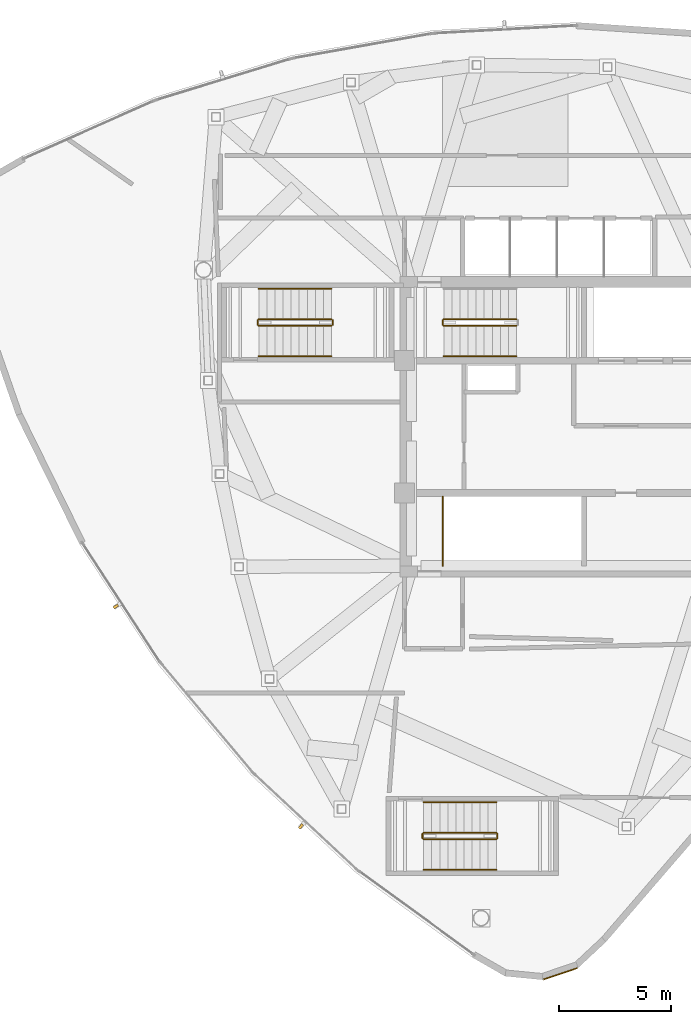
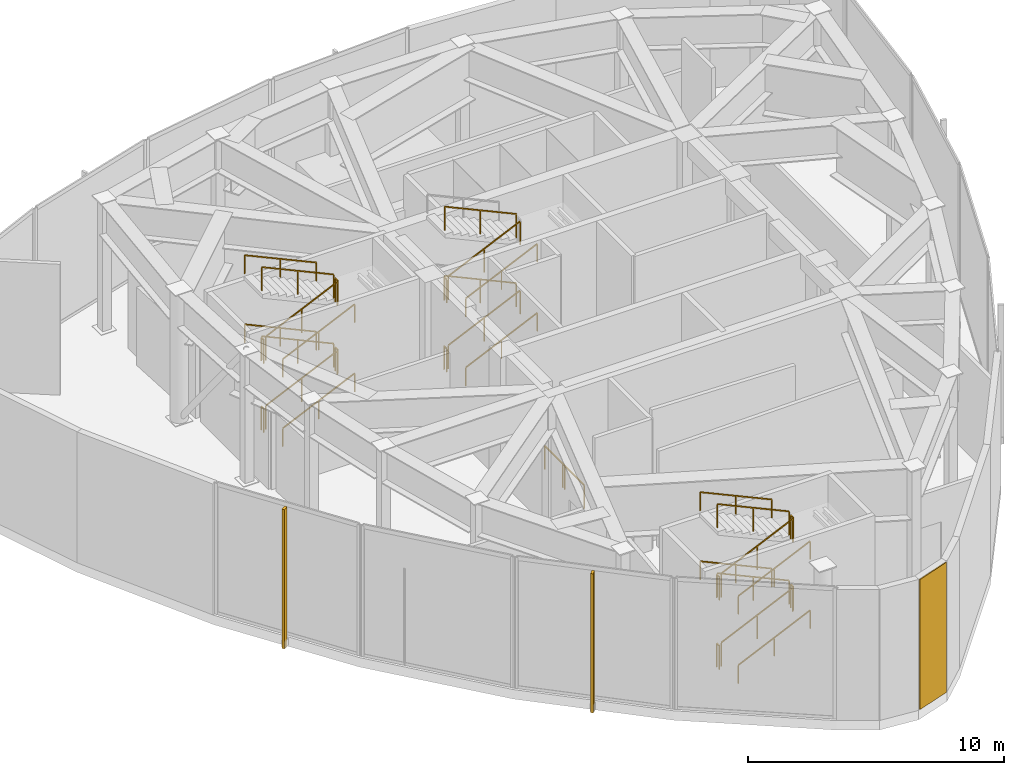
# One storey, part 11 of 13: 34 railings, 2 shading devices, 1 covering.
"""IFC4 building model written with IfcOpenShell, lengths in metres."""

from ifc_helpers import new_model, si_unit, direction, frame, origin, origin_2d, place, context, subcontext, project, spatial, rectangle, extrude, source, transform, mapped, material, layer, layer_set, type_object, type_shapes, element, save


model = new_model("IFC4")

# Units and contexts
model_context = context("Model", 3, precision=1e-05, world=origin(), true_north=direction((0.0, 1.0)))
body_context = subcontext(model_context, "Body", "Model", "MODEL_VIEW")
ifc_project = project(units=[si_unit("LENGTHUNIT", "METRE"), si_unit("AREAUNIT", "SQUARE_METRE"), si_unit("VOLUMEUNIT", "CUBIC_METRE"), si_unit("PLANEANGLEUNIT", "RADIAN"), si_unit("MASSUNIT", "GRAM", prefix="KILO")], contexts=[model_context])

# Site, building, storey
site_placement = place(None, origin())
site = spatial("IfcSite", under=ifc_project, at=site_placement, CompositionType="ELEMENT")
building_placement = place(site_placement, origin())
building = spatial("IfcBuilding", under=site, at=building_placement, Name="Tavelor Broadcast Tower", CompositionType="ELEMENT")
storey_placement = place(building_placement, frame((0.0, 0.0, 325.5)))
storey = spatial("IfcBuildingStorey", under=building, at=storey_placement, Name="L78", CompositionType="ELEMENT", Elevation=325.5)

# Covering
ifc_material_1 = material(Name="Copper-Bronze Anodized Aluminium", Category="aluminium")
ifc_layer = layer(ifc_material_1, 0.050048828125)
ifc_layer_set = layer_set([ifc_layer], Name="Copper-Bronze Anodized Aluminium")
covering_type = type_object("IfcCoveringType", Name="Champagne-Bronze Corner Pier Metal Cladding 50 mm", PredefinedType="CLADDING", material=ifc_layer_set)
covering_placement = place(storey_placement, frame((50.05126953125, 20.606689453125, 0.02001953125), z_axis=(0.0, 0.0, 1.0), x_axis=(0.946930129495, 0.321439465303, 0.0)))
element("IfcCovering", 1, at=covering_placement, inside=storey, type_object=covering_type, Name="L78 Champagne-Bronze Corner Cladding 13", PredefinedType="CLADDING", context=body_context, shape_type="SweptSolid", body=[
    extrude(rectangle(XDim=1.584716796875, YDim=0.050048828125, at=origin_2d()), origin(), (0.0, 0.0, 1.0), 6.2099609375),
])

# Railings
ifc_material_2 = material(Name="Steel S355", Category="steel")
railing_type_1 = type_object("IfcRailingType", Name="Continuous Brushed Stainless Handrail 900 mm", PredefinedType="HANDRAIL", material=ifc_material_2)
for number, where, name in (
    (2, (44.85009765625, 48.14990234375, 0.1650390625), "L78 ST1 stair handrail 1"),
    (3, (44.85009765625, 48.14990234375, 3.465087890625), "L78 ST1 stair handrail 3"),
    (4, (36.60009765625, 48.14990234375, 0.1650390625), "L78 ST5 stair handrail 1"),
):
    element("IfcRailing", number, at=place(storey_placement, frame(where)), inside=storey, type_object=railing_type_1, Name=name, PredefinedType="HANDRAIL", context=body_context, shape_type="SweptSolid", body=[
        extrude(rectangle(XDim=0.048095703125, YDim=0.048095703125, at=origin_2d()), frame((0.0, 0.0, 0.8759765625), z_axis=(0.909078876417, 0.0, 0.416624046897), x_axis=(0.0, 1.0, 0.0)), (0.0, 0.0, 1.0), 3.56396484375),
        extrude(rectangle(XDim=0.0419921875, YDim=0.0419921875, at=origin_2d()), origin(), (0.0, 0.0, 1.0), 0.851806640625),
        extrude(rectangle(XDim=0.0419921875, YDim=0.0419921875, at=origin_2d()), frame((1.6201171875, 0.0, 0.742431640625)), (0.0, 0.0, 1.0), 0.851806640625),
        extrude(rectangle(XDim=0.0419921875, YDim=0.0419921875, at=origin_2d()), frame((3.239990234375, 0.0, 1.48486328125)), (0.0, 0.0, 1.0), 0.851806640625),
    ])
railing_1_placement = place(storey_placement, frame((39.840087890625, 51.14990234375, 1.81494140625)))
element("IfcRailing", 5, at=railing_1_placement, inside=storey, type_object=railing_type_1, Name="L78 ST5 stair handrail 2", PredefinedType="HANDRAIL", context=body_context, shape_type="SweptSolid", body=[
    extrude(rectangle(XDim=0.048095703125, YDim=0.048095703125, at=origin_2d()), frame((0.0, 0.0, 0.8759765625), z_axis=(-0.909052930984, 0.0, 0.416680655503), x_axis=(0.0, -1.0, 0.0)), (0.0, 0.0, 1.0), 3.564208984375),
    extrude(rectangle(XDim=0.0419921875, YDim=0.0419921875, at=origin_2d()), origin(), (0.0, 0.0, 1.0), 0.851806640625),
    extrude(rectangle(XDim=0.0419921875, YDim=0.0419921875, at=origin_2d()), frame((-1.6201171875, 0.0, 0.74267578125)), (0.0, 0.0, 1.0), 0.851806640625),
    extrude(rectangle(XDim=0.0419921875, YDim=0.0419921875, at=origin_2d()), frame((-3.239990234375, 0.0, 1.485107421875)), (0.0, 0.0, 1.0), 0.851806640625),
])
railing_2_placement = place(storey_placement, frame((36.60009765625, 48.14990234375, 3.465087890625)))
element("IfcRailing", 6, at=railing_2_placement, inside=storey, type_object=railing_type_1, Name="L78 ST5 stair handrail 3", PredefinedType="HANDRAIL", context=body_context, shape_type="SweptSolid", body=[
    extrude(rectangle(XDim=0.048095703125, YDim=0.048095703125, at=origin_2d()), frame((0.0, 0.0, 0.8759765625), z_axis=(0.909078876417, 0.0, 0.416624046897), x_axis=(0.0, 1.0, 0.0)), (0.0, 0.0, 1.0), 3.56396484375),
    extrude(rectangle(XDim=0.0419921875, YDim=0.0419921875, at=origin_2d()), origin(), (0.0, 0.0, 1.0), 0.851806640625),
    extrude(rectangle(XDim=0.0419921875, YDim=0.0419921875, at=origin_2d()), frame((1.6201171875, 0.0, 0.742431640625)), (0.0, 0.0, 1.0), 0.851806640625),
    extrude(rectangle(XDim=0.0419921875, YDim=0.0419921875, at=origin_2d()), frame((3.239990234375, 0.0, 1.48486328125)), (0.0, 0.0, 1.0), 0.851806640625),
])
railing_3_placement = place(storey_placement, frame((39.840087890625, 51.14990234375, 5.114990234375)))
element("IfcRailing", 7, at=railing_3_placement, inside=storey, type_object=railing_type_1, Name="L78 ST5 stair handrail 4", PredefinedType="HANDRAIL", context=body_context, shape_type="SweptSolid", body=[
    extrude(rectangle(XDim=0.048095703125, YDim=0.048095703125, at=origin_2d()), frame((0.0, 0.0, 0.8759765625), z_axis=(-0.909052930984, 0.0, 0.416680655503), x_axis=(0.0, -1.0, 0.0)), (0.0, 0.0, 1.0), 3.564208984375),
    extrude(rectangle(XDim=0.0419921875, YDim=0.0419921875, at=origin_2d()), origin(), (0.0, 0.0, 1.0), 0.851806640625),
    extrude(rectangle(XDim=0.0419921875, YDim=0.0419921875, at=origin_2d()), frame((-1.6201171875, 0.0, 0.74267578125)), (0.0, 0.0, 1.0), 0.851806640625),
    extrude(rectangle(XDim=0.0419921875, YDim=0.0419921875, at=origin_2d()), frame((-3.239990234375, 0.0, 1.485107421875)), (0.0, 0.0, 1.0), 0.851806640625),
])
railing_4_placement = place(storey_placement, frame((43.949951171875, 25.25, 0.1650390625)))
element("IfcRailing", 8, at=railing_4_placement, inside=storey, type_object=railing_type_1, Name="L78 ST6 stair handrail 1", PredefinedType="HANDRAIL", context=body_context, shape_type="SweptSolid", body=[
    extrude(rectangle(XDim=0.048095703125, YDim=0.048095703125, at=origin_2d()), frame((0.0, 0.0, 0.8759765625), z_axis=(0.909078876417, 0.0, 0.416624046897), x_axis=(0.0, 1.0, 0.0)), (0.0, 0.0, 1.0), 3.56396484375),
    extrude(rectangle(XDim=0.0419921875, YDim=0.0419921875, at=origin_2d()), origin(), (0.0, 0.0, 1.0), 0.851806640625),
    extrude(rectangle(XDim=0.0419921875, YDim=0.0419921875, at=origin_2d()), frame((1.6201171875, 0.0, 0.742431640625)), (0.0, 0.0, 1.0), 0.851806640625),
    extrude(rectangle(XDim=0.0419921875, YDim=0.0419921875, at=origin_2d()), frame((3.239990234375, 0.0, 1.48486328125)), (0.0, 0.0, 1.0), 0.851806640625),
])
railing_5_placement = place(storey_placement, frame((47.18994140625, 28.25, 1.81494140625)))
element("IfcRailing", 9, at=railing_5_placement, inside=storey, type_object=railing_type_1, Name="L78 ST6 stair handrail 2", PredefinedType="HANDRAIL", context=body_context, shape_type="SweptSolid", body=[
    extrude(rectangle(XDim=0.048095703125, YDim=0.048095703125, at=origin_2d()), frame((0.0, 0.0, 0.8759765625), z_axis=(-0.909052930984, 0.0, 0.416680655503), x_axis=(0.0, -1.0, 0.0)), (0.0, 0.0, 1.0), 3.564208984375),
    extrude(rectangle(XDim=0.0419921875, YDim=0.0419921875, at=origin_2d()), origin(), (0.0, 0.0, 1.0), 0.851806640625),
    extrude(rectangle(XDim=0.0419921875, YDim=0.0419921875, at=origin_2d()), frame((-1.6201171875, 0.0, 0.74267578125)), (0.0, 0.0, 1.0), 0.851806640625),
    extrude(rectangle(XDim=0.0419921875, YDim=0.0419921875, at=origin_2d()), frame((-3.239990234375, 0.0, 1.485107421875)), (0.0, 0.0, 1.0), 0.851806640625),
])
railing_6_placement = place(storey_placement, frame((43.949951171875, 25.25, 3.465087890625)))
element("IfcRailing", 10, at=railing_6_placement, inside=storey, type_object=railing_type_1, Name="L78 ST6 stair handrail 3", PredefinedType="HANDRAIL", context=body_context, shape_type="SweptSolid", body=[
    extrude(rectangle(XDim=0.048095703125, YDim=0.048095703125, at=origin_2d()), frame((0.0, 0.0, 0.8759765625), z_axis=(0.909078876417, 0.0, 0.416624046897), x_axis=(0.0, 1.0, 0.0)), (0.0, 0.0, 1.0), 3.56396484375),
    extrude(rectangle(XDim=0.0419921875, YDim=0.0419921875, at=origin_2d()), origin(), (0.0, 0.0, 1.0), 0.851806640625),
    extrude(rectangle(XDim=0.0419921875, YDim=0.0419921875, at=origin_2d()), frame((1.6201171875, 0.0, 0.742431640625)), (0.0, 0.0, 1.0), 0.851806640625),
    extrude(rectangle(XDim=0.0419921875, YDim=0.0419921875, at=origin_2d()), frame((3.239990234375, 0.0, 1.48486328125)), (0.0, 0.0, 1.0), 0.851806640625),
])
railing_7_placement = place(storey_placement, frame((47.18994140625, 28.25, 5.114990234375)))
element("IfcRailing", 11, at=railing_7_placement, inside=storey, type_object=railing_type_1, Name="L78 ST6 stair handrail 4", PredefinedType="HANDRAIL", context=body_context, shape_type="SweptSolid", body=[
    extrude(rectangle(XDim=0.048095703125, YDim=0.048095703125, at=origin_2d()), frame((0.0, 0.0, 0.8759765625), z_axis=(-0.909052930984, 0.0, 0.416680655503), x_axis=(0.0, -1.0, 0.0)), (0.0, 0.0, 1.0), 3.564208984375),
    extrude(rectangle(XDim=0.0419921875, YDim=0.0419921875, at=origin_2d()), origin(), (0.0, 0.0, 1.0), 0.851806640625),
    extrude(rectangle(XDim=0.0419921875, YDim=0.0419921875, at=origin_2d()), frame((-1.6201171875, 0.0, 0.74267578125)), (0.0, 0.0, 1.0), 0.851806640625),
    extrude(rectangle(XDim=0.0419921875, YDim=0.0419921875, at=origin_2d()), frame((-3.239990234375, 0.0, 1.485107421875)), (0.0, 0.0, 1.0), 0.851806640625),
])
railing_type_2 = type_object("IfcRailingType", Name="Stairwell Steel Safety Guardrail 1150 mm", PredefinedType="GUARDRAIL", material=ifc_material_2)
railing_8_placement = place(storey_placement, frame((44.85009765625, 49.5, 0.1650390625)))
element("IfcRailing", 12, at=railing_8_placement, inside=storey, type_object=railing_type_2, Name="L78 ST1 stair guard 1", PredefinedType="GUARDRAIL", context=body_context, shape_type="SweptSolid", body=[
    extrude(rectangle(XDim=0.048095703125, YDim=0.048095703125, at=origin_2d()), frame((0.0, 0.0, 1.1259765625), z_axis=(0.909078876417, 0.0, 0.416624046897), x_axis=(0.0, 1.0, 0.0)), (0.0, 0.0, 1.0), 3.56396484375),
    extrude(rectangle(XDim=0.0419921875, YDim=0.0419921875, at=origin_2d()), origin(), (0.0, 0.0, 1.0), 1.101806640625),
    extrude(rectangle(XDim=0.0419921875, YDim=0.0419921875, at=origin_2d()), frame((1.6201171875, 0.0, 0.742431640625)), (0.0, 0.0, 1.0), 1.101806640625),
    extrude(rectangle(XDim=0.0419921875, YDim=0.0419921875, at=origin_2d()), frame((3.239990234375, 0.0, 1.48486328125)), (0.0, 0.0, 1.0), 1.101806640625),
])
railing_9_placement = place(storey_placement, frame((48.090087890625, 49.800048828125, 1.81494140625)))
element("IfcRailing", 13, at=railing_9_placement, inside=storey, type_object=railing_type_2, Name="L78 ST1 stair guard 3", PredefinedType="GUARDRAIL", context=body_context, shape_type="SweptSolid", body=[
    extrude(rectangle(XDim=0.048095703125, YDim=0.048095703125, at=origin_2d()), frame((0.0, 0.0, 1.1259765625), z_axis=(-0.909052930984, 0.0, 0.416680655503), x_axis=(0.0, -1.0, 0.0)), (0.0, 0.0, 1.0), 3.564208984375),
    extrude(rectangle(XDim=0.0419921875, YDim=0.0419921875, at=origin_2d()), origin(), (0.0, 0.0, 1.0), 1.101806640625),
    extrude(rectangle(XDim=0.0419921875, YDim=0.0419921875, at=origin_2d()), frame((-1.6201171875, 0.0, 0.74267578125)), (0.0, 0.0, 1.0), 1.101806640625),
    extrude(rectangle(XDim=0.0419921875, YDim=0.0419921875, at=origin_2d()), frame((-3.239990234375, 0.0, 1.485107421875)), (0.0, 0.0, 1.0), 1.101806640625),
])
railing_10_placement = place(storey_placement, frame((44.800048828125, 49.550048828125, 3.300048828125)))
element("IfcRailing", 14, at=railing_10_placement, inside=storey, type_object=railing_type_2, Name="L78 ST1 stair guard 4", PredefinedType="GUARDRAIL", context=body_context, shape_type="SweptSolid", body=[
    extrude(rectangle(XDim=0.048095703125, YDim=0.048095703125, at=origin_2d()), frame((0.0, 0.0, 1.1259765625), z_axis=(0.0, 1.0, 0.0), x_axis=(-1.0, 0.0, 0.0)), (0.0, 0.0, 1.0), 0.199951171875),
    extrude(rectangle(XDim=0.0419921875, YDim=0.0419921875, at=origin_2d()), origin(), (0.0, 0.0, 1.0), 1.101806640625),
    extrude(rectangle(XDim=0.0419921875, YDim=0.0419921875, at=origin_2d()), frame((0.0, 0.199951171875, 0.0)), (0.0, 0.0, 1.0), 1.101806640625),
])
railing_11_placement = place(storey_placement, frame((44.85009765625, 49.5, 3.465087890625)))
element("IfcRailing", 15, at=railing_11_placement, inside=storey, type_object=railing_type_2, Name="L78 ST1 stair guard 5", PredefinedType="GUARDRAIL", context=body_context, shape_type="SweptSolid", body=[
    extrude(rectangle(XDim=0.048095703125, YDim=0.048095703125, at=origin_2d()), frame((0.0, 0.0, 1.1259765625), z_axis=(0.909078876417, 0.0, 0.416624046897), x_axis=(0.0, 1.0, 0.0)), (0.0, 0.0, 1.0), 3.56396484375),
    extrude(rectangle(XDim=0.0419921875, YDim=0.0419921875, at=origin_2d()), origin(), (0.0, 0.0, 1.0), 1.101806640625),
    extrude(rectangle(XDim=0.0419921875, YDim=0.0419921875, at=origin_2d()), frame((1.6201171875, 0.0, 0.742431640625)), (0.0, 0.0, 1.0), 1.101806640625),
    extrude(rectangle(XDim=0.0419921875, YDim=0.0419921875, at=origin_2d()), frame((3.239990234375, 0.0, 1.48486328125)), (0.0, 0.0, 1.0), 1.101806640625),
])
railing_12_placement = place(storey_placement, frame((48.090087890625, 49.800048828125, 5.114990234375)))
element("IfcRailing", 16, at=railing_12_placement, inside=storey, type_object=railing_type_2, Name="L78 ST1 stair guard 7", PredefinedType="GUARDRAIL", context=body_context, shape_type="SweptSolid", body=[
    extrude(rectangle(XDim=0.048095703125, YDim=0.048095703125, at=origin_2d()), frame((0.0, 0.0, 1.1259765625), z_axis=(-0.909052930984, 0.0, 0.416680655503), x_axis=(0.0, -1.0, 0.0)), (0.0, 0.0, 1.0), 3.564208984375),
    extrude(rectangle(XDim=0.0419921875, YDim=0.0419921875, at=origin_2d()), origin(), (0.0, 0.0, 1.0), 1.101806640625),
    extrude(rectangle(XDim=0.0419921875, YDim=0.0419921875, at=origin_2d()), frame((-1.6201171875, 0.0, 0.74267578125)), (0.0, 0.0, 1.0), 1.101806640625),
    extrude(rectangle(XDim=0.0419921875, YDim=0.0419921875, at=origin_2d()), frame((-3.239990234375, 0.0, 1.485107421875)), (0.0, 0.0, 1.0), 1.101806640625),
])
railing_13_placement = place(storey_placement, frame((44.800048828125, 49.550048828125, 0.0)))
element("IfcRailing", 17, at=railing_13_placement, inside=storey, type_object=railing_type_2, Name="L78 ST1 stair guard 8", PredefinedType="GUARDRAIL", context=body_context, shape_type="SweptSolid", body=[
    extrude(rectangle(XDim=0.048095703125, YDim=0.048095703125, at=origin_2d()), frame((0.0, 0.0, 1.1259765625), z_axis=(0.0, 1.0, 0.0), x_axis=(-1.0, 0.0, 0.0)), (0.0, 0.0, 1.0), 0.199951171875),
    extrude(rectangle(XDim=0.0419921875, YDim=0.0419921875, at=origin_2d()), origin(), (0.0, 0.0, 1.0), 1.101806640625),
    extrude(rectangle(XDim=0.0419921875, YDim=0.0419921875, at=origin_2d()), frame((0.0, 0.199951171875, 0.0)), (0.0, 0.0, 1.0), 1.101806640625),
])
railing_14_placement = place(storey_placement, frame((44.800048828125, 38.800048828125, 0.0)))
element("IfcRailing", 18, at=railing_14_placement, inside=storey, type_object=railing_type_2, Name="L78 ST2 top well guard 1", PredefinedType="GUARDRAIL", context=body_context, shape_type="SweptSolid", body=[
    extrude(rectangle(XDim=0.048095703125, YDim=0.048095703125, at=origin_2d()), frame((0.0, 0.0, 1.1259765625), z_axis=(0.0, 1.0, 0.0), x_axis=(-1.0, 0.0, 0.0)), (0.0, 0.0, 1.0), 1.64990234375),
    extrude(rectangle(XDim=0.0419921875, YDim=0.0419921875, at=origin_2d()), origin(), (0.0, 0.0, 1.0), 1.101806640625),
    extrude(rectangle(XDim=0.0419921875, YDim=0.0419921875, at=origin_2d()), frame((0.0, 1.64990234375, 0.0)), (0.0, 0.0, 1.0), 1.101806640625),
])
railing_15_placement = place(storey_placement, frame((36.60009765625, 49.5, 0.1650390625)))
element("IfcRailing", 19, at=railing_15_placement, inside=storey, type_object=railing_type_2, Name="L78 ST5 stair guard 1", PredefinedType="GUARDRAIL", context=body_context, shape_type="SweptSolid", body=[
    extrude(rectangle(XDim=0.048095703125, YDim=0.048095703125, at=origin_2d()), frame((0.0, 0.0, 1.1259765625), z_axis=(0.909078876417, 0.0, 0.416624046897), x_axis=(0.0, 1.0, 0.0)), (0.0, 0.0, 1.0), 3.56396484375),
    extrude(rectangle(XDim=0.0419921875, YDim=0.0419921875, at=origin_2d()), origin(), (0.0, 0.0, 1.0), 1.101806640625),
    extrude(rectangle(XDim=0.0419921875, YDim=0.0419921875, at=origin_2d()), frame((1.6201171875, 0.0, 0.742431640625)), (0.0, 0.0, 1.0), 1.101806640625),
    extrude(rectangle(XDim=0.0419921875, YDim=0.0419921875, at=origin_2d()), frame((3.239990234375, 0.0, 1.48486328125)), (0.0, 0.0, 1.0), 1.101806640625),
])
railing_16_placement = place(storey_placement, frame((39.889892578125, 49.550048828125, 1.64990234375)))
element("IfcRailing", 20, at=railing_16_placement, inside=storey, type_object=railing_type_2, Name="L78 ST5 stair guard 2", PredefinedType="GUARDRAIL", context=body_context, shape_type="SweptSolid", body=[
    extrude(rectangle(XDim=0.048095703125, YDim=0.048095703125, at=origin_2d()), frame((0.0, 0.0, 1.1259765625), z_axis=(0.0, 1.0, 0.0), x_axis=(-1.0, 0.0, 0.0)), (0.0, 0.0, 1.0), 0.199951171875),
    extrude(rectangle(XDim=0.0419921875, YDim=0.0419921875, at=origin_2d()), origin(), (0.0, 0.0, 1.0), 1.101806640625),
    extrude(rectangle(XDim=0.0419921875, YDim=0.0419921875, at=origin_2d()), frame((0.0, 0.199951171875, 0.0)), (0.0, 0.0, 1.0), 1.101806640625),
])
railing_17_placement = place(storey_placement, frame((39.840087890625, 49.800048828125, 1.81494140625)))
element("IfcRailing", 21, at=railing_17_placement, inside=storey, type_object=railing_type_2, Name="L78 ST5 stair guard 3", PredefinedType="GUARDRAIL", context=body_context, shape_type="SweptSolid", body=[
    extrude(rectangle(XDim=0.048095703125, YDim=0.048095703125, at=origin_2d()), frame((0.0, 0.0, 1.1259765625), z_axis=(-0.909052930984, 0.0, 0.416680655503), x_axis=(0.0, -1.0, 0.0)), (0.0, 0.0, 1.0), 3.564208984375),
    extrude(rectangle(XDim=0.0419921875, YDim=0.0419921875, at=origin_2d()), origin(), (0.0, 0.0, 1.0), 1.101806640625),
    extrude(rectangle(XDim=0.0419921875, YDim=0.0419921875, at=origin_2d()), frame((-1.6201171875, 0.0, 0.74267578125)), (0.0, 0.0, 1.0), 1.101806640625),
    extrude(rectangle(XDim=0.0419921875, YDim=0.0419921875, at=origin_2d()), frame((-3.239990234375, 0.0, 1.485107421875)), (0.0, 0.0, 1.0), 1.101806640625),
])
railing_18_placement = place(storey_placement, frame((36.550048828125, 49.550048828125, 3.300048828125)))
element("IfcRailing", 22, at=railing_18_placement, inside=storey, type_object=railing_type_2, Name="L78 ST5 stair guard 4", PredefinedType="GUARDRAIL", context=body_context, shape_type="SweptSolid", body=[
    extrude(rectangle(XDim=0.048095703125, YDim=0.048095703125, at=origin_2d()), frame((0.0, 0.0, 1.1259765625), z_axis=(0.0, 1.0, 0.0), x_axis=(-1.0, 0.0, 0.0)), (0.0, 0.0, 1.0), 0.199951171875),
    extrude(rectangle(XDim=0.0419921875, YDim=0.0419921875, at=origin_2d()), origin(), (0.0, 0.0, 1.0), 1.101806640625),
    extrude(rectangle(XDim=0.0419921875, YDim=0.0419921875, at=origin_2d()), frame((0.0, 0.199951171875, 0.0)), (0.0, 0.0, 1.0), 1.101806640625),
])
railing_19_placement = place(storey_placement, frame((36.60009765625, 49.5, 3.465087890625)))
element("IfcRailing", 23, at=railing_19_placement, inside=storey, type_object=railing_type_2, Name="L78 ST5 stair guard 5", PredefinedType="GUARDRAIL", context=body_context, shape_type="SweptSolid", body=[
    extrude(rectangle(XDim=0.048095703125, YDim=0.048095703125, at=origin_2d()), frame((0.0, 0.0, 1.1259765625), z_axis=(0.909078876417, 0.0, 0.416624046897), x_axis=(0.0, 1.0, 0.0)), (0.0, 0.0, 1.0), 3.56396484375),
    extrude(rectangle(XDim=0.0419921875, YDim=0.0419921875, at=origin_2d()), origin(), (0.0, 0.0, 1.0), 1.101806640625),
    extrude(rectangle(XDim=0.0419921875, YDim=0.0419921875, at=origin_2d()), frame((1.6201171875, 0.0, 0.742431640625)), (0.0, 0.0, 1.0), 1.101806640625),
    extrude(rectangle(XDim=0.0419921875, YDim=0.0419921875, at=origin_2d()), frame((3.239990234375, 0.0, 1.48486328125)), (0.0, 0.0, 1.0), 1.101806640625),
])
railing_20_placement = place(storey_placement, frame((39.889892578125, 49.550048828125, 4.949951171875)))
element("IfcRailing", 24, at=railing_20_placement, inside=storey, type_object=railing_type_2, Name="L78 ST5 stair guard 6", PredefinedType="GUARDRAIL", context=body_context, shape_type="SweptSolid", body=[
    extrude(rectangle(XDim=0.048095703125, YDim=0.048095703125, at=origin_2d()), frame((0.0, 0.0, 1.1259765625), z_axis=(0.0, 1.0, 0.0), x_axis=(-1.0, 0.0, 0.0)), (0.0, 0.0, 1.0), 0.199951171875),
    extrude(rectangle(XDim=0.0419921875, YDim=0.0419921875, at=origin_2d()), origin(), (0.0, 0.0, 1.0), 1.101806640625),
    extrude(rectangle(XDim=0.0419921875, YDim=0.0419921875, at=origin_2d()), frame((0.0, 0.199951171875, 0.0)), (0.0, 0.0, 1.0), 1.101806640625),
])
railing_21_placement = place(storey_placement, frame((39.840087890625, 49.800048828125, 5.114990234375)))
element("IfcRailing", 25, at=railing_21_placement, inside=storey, type_object=railing_type_2, Name="L78 ST5 stair guard 7", PredefinedType="GUARDRAIL", context=body_context, shape_type="SweptSolid", body=[
    extrude(rectangle(XDim=0.048095703125, YDim=0.048095703125, at=origin_2d()), frame((0.0, 0.0, 1.1259765625), z_axis=(-0.909052930984, 0.0, 0.416680655503), x_axis=(0.0, -1.0, 0.0)), (0.0, 0.0, 1.0), 3.564208984375),
    extrude(rectangle(XDim=0.0419921875, YDim=0.0419921875, at=origin_2d()), origin(), (0.0, 0.0, 1.0), 1.101806640625),
    extrude(rectangle(XDim=0.0419921875, YDim=0.0419921875, at=origin_2d()), frame((-1.6201171875, 0.0, 0.74267578125)), (0.0, 0.0, 1.0), 1.101806640625),
    extrude(rectangle(XDim=0.0419921875, YDim=0.0419921875, at=origin_2d()), frame((-3.239990234375, 0.0, 1.485107421875)), (0.0, 0.0, 1.0), 1.101806640625),
])
railing_22_placement = place(storey_placement, frame((36.550048828125, 49.550048828125, 0.0)))
element("IfcRailing", 26, at=railing_22_placement, inside=storey, type_object=railing_type_2, Name="L78 ST5 stair guard 8", PredefinedType="GUARDRAIL", context=body_context, shape_type="SweptSolid", body=[
    extrude(rectangle(XDim=0.048095703125, YDim=0.048095703125, at=origin_2d()), frame((0.0, 0.0, 1.1259765625), z_axis=(0.0, 1.0, 0.0), x_axis=(-1.0, 0.0, 0.0)), (0.0, 0.0, 1.0), 0.199951171875),
    extrude(rectangle(XDim=0.0419921875, YDim=0.0419921875, at=origin_2d()), origin(), (0.0, 0.0, 1.0), 1.101806640625),
    extrude(rectangle(XDim=0.0419921875, YDim=0.0419921875, at=origin_2d()), frame((0.0, 0.199951171875, 0.0)), (0.0, 0.0, 1.0), 1.101806640625),
])
railing_23_placement = place(storey_placement, frame((43.949951171875, 26.60009765625, 0.1650390625)))
element("IfcRailing", 27, at=railing_23_placement, inside=storey, type_object=railing_type_2, Name="L78 ST6 stair guard 1", PredefinedType="GUARDRAIL", context=body_context, shape_type="SweptSolid", body=[
    extrude(rectangle(XDim=0.048095703125, YDim=0.048095703125, at=origin_2d()), frame((0.0, 0.0, 1.1259765625), z_axis=(0.909078876417, 0.0, 0.416624046897), x_axis=(0.0, 1.0, 0.0)), (0.0, 0.0, 1.0), 3.56396484375),
    extrude(rectangle(XDim=0.0419921875, YDim=0.0419921875, at=origin_2d()), origin(), (0.0, 0.0, 1.0), 1.101806640625),
    extrude(rectangle(XDim=0.0419921875, YDim=0.0419921875, at=origin_2d()), frame((1.6201171875, 0.0, 0.742431640625)), (0.0, 0.0, 1.0), 1.101806640625),
    extrude(rectangle(XDim=0.0419921875, YDim=0.0419921875, at=origin_2d()), frame((3.239990234375, 0.0, 1.48486328125)), (0.0, 0.0, 1.0), 1.101806640625),
])
railing_24_placement = place(storey_placement, frame((47.239990234375, 26.64990234375, 1.64990234375)))
element("IfcRailing", 28, at=railing_24_placement, inside=storey, type_object=railing_type_2, Name="L78 ST6 stair guard 2", PredefinedType="GUARDRAIL", context=body_context, shape_type="SweptSolid", body=[
    extrude(rectangle(XDim=0.048095703125, YDim=0.048095703125, at=origin_2d()), frame((0.0, 0.0, 1.1259765625), z_axis=(0.0, 1.0, 0.0), x_axis=(-1.0, 0.0, 0.0)), (0.0, 0.0, 1.0), 0.2001953125),
    extrude(rectangle(XDim=0.0419921875, YDim=0.0419921875, at=origin_2d()), origin(), (0.0, 0.0, 1.0), 1.101806640625),
    extrude(rectangle(XDim=0.0419921875, YDim=0.0419921875, at=origin_2d()), frame((0.0, 0.2001953125, 0.0)), (0.0, 0.0, 1.0), 1.101806640625),
])
railing_25_placement = place(storey_placement, frame((47.18994140625, 26.89990234375, 1.81494140625)))
element("IfcRailing", 29, at=railing_25_placement, inside=storey, type_object=railing_type_2, Name="L78 ST6 stair guard 3", PredefinedType="GUARDRAIL", context=body_context, shape_type="SweptSolid", body=[
    extrude(rectangle(XDim=0.048095703125, YDim=0.048095703125, at=origin_2d()), frame((0.0, 0.0, 1.1259765625), z_axis=(-0.909052930984, 0.0, 0.416680655503), x_axis=(0.0, -1.0, 0.0)), (0.0, 0.0, 1.0), 3.564208984375),
    extrude(rectangle(XDim=0.0419921875, YDim=0.0419921875, at=origin_2d()), origin(), (0.0, 0.0, 1.0), 1.101806640625),
    extrude(rectangle(XDim=0.0419921875, YDim=0.0419921875, at=origin_2d()), frame((-1.6201171875, 0.0, 0.74267578125)), (0.0, 0.0, 1.0), 1.101806640625),
    extrude(rectangle(XDim=0.0419921875, YDim=0.0419921875, at=origin_2d()), frame((-3.239990234375, 0.0, 1.485107421875)), (0.0, 0.0, 1.0), 1.101806640625),
])
railing_26_placement = place(storey_placement, frame((43.89990234375, 26.64990234375, 3.300048828125)))
element("IfcRailing", 30, at=railing_26_placement, inside=storey, type_object=railing_type_2, Name="L78 ST6 stair guard 4", PredefinedType="GUARDRAIL", context=body_context, shape_type="SweptSolid", body=[
    extrude(rectangle(XDim=0.048095703125, YDim=0.048095703125, at=origin_2d()), frame((0.0, 0.0, 1.1259765625), z_axis=(0.0, 1.0, 0.0), x_axis=(-1.0, 0.0, 0.0)), (0.0, 0.0, 1.0), 0.2001953125),
    extrude(rectangle(XDim=0.0419921875, YDim=0.0419921875, at=origin_2d()), origin(), (0.0, 0.0, 1.0), 1.101806640625),
    extrude(rectangle(XDim=0.0419921875, YDim=0.0419921875, at=origin_2d()), frame((0.0, 0.2001953125, 0.0)), (0.0, 0.0, 1.0), 1.101806640625),
])
railing_27_placement = place(storey_placement, frame((43.949951171875, 26.60009765625, 3.465087890625)))
element("IfcRailing", 31, at=railing_27_placement, inside=storey, type_object=railing_type_2, Name="L78 ST6 stair guard 5", PredefinedType="GUARDRAIL", context=body_context, shape_type="SweptSolid", body=[
    extrude(rectangle(XDim=0.048095703125, YDim=0.048095703125, at=origin_2d()), frame((0.0, 0.0, 1.1259765625), z_axis=(0.909078876417, 0.0, 0.416624046897), x_axis=(0.0, 1.0, 0.0)), (0.0, 0.0, 1.0), 3.56396484375),
    extrude(rectangle(XDim=0.0419921875, YDim=0.0419921875, at=origin_2d()), origin(), (0.0, 0.0, 1.0), 1.101806640625),
    extrude(rectangle(XDim=0.0419921875, YDim=0.0419921875, at=origin_2d()), frame((1.6201171875, 0.0, 0.742431640625)), (0.0, 0.0, 1.0), 1.101806640625),
    extrude(rectangle(XDim=0.0419921875, YDim=0.0419921875, at=origin_2d()), frame((3.239990234375, 0.0, 1.48486328125)), (0.0, 0.0, 1.0), 1.101806640625),
])
railing_28_placement = place(storey_placement, frame((47.239990234375, 26.64990234375, 4.949951171875)))
element("IfcRailing", 32, at=railing_28_placement, inside=storey, type_object=railing_type_2, Name="L78 ST6 stair guard 6", PredefinedType="GUARDRAIL", context=body_context, shape_type="SweptSolid", body=[
    extrude(rectangle(XDim=0.048095703125, YDim=0.048095703125, at=origin_2d()), frame((0.0, 0.0, 1.1259765625), z_axis=(0.0, 1.0, 0.0), x_axis=(-1.0, 0.0, 0.0)), (0.0, 0.0, 1.0), 0.2001953125),
    extrude(rectangle(XDim=0.0419921875, YDim=0.0419921875, at=origin_2d()), origin(), (0.0, 0.0, 1.0), 1.101806640625),
    extrude(rectangle(XDim=0.0419921875, YDim=0.0419921875, at=origin_2d()), frame((0.0, 0.2001953125, 0.0)), (0.0, 0.0, 1.0), 1.101806640625),
])
railing_29_placement = place(storey_placement, frame((47.18994140625, 26.89990234375, 5.114990234375)))
element("IfcRailing", 33, at=railing_29_placement, inside=storey, type_object=railing_type_2, Name="L78 ST6 stair guard 7", PredefinedType="GUARDRAIL", context=body_context, shape_type="SweptSolid", body=[
    extrude(rectangle(XDim=0.048095703125, YDim=0.048095703125, at=origin_2d()), frame((0.0, 0.0, 1.1259765625), z_axis=(-0.909052930984, 0.0, 0.416680655503), x_axis=(0.0, -1.0, 0.0)), (0.0, 0.0, 1.0), 3.564208984375),
    extrude(rectangle(XDim=0.0419921875, YDim=0.0419921875, at=origin_2d()), origin(), (0.0, 0.0, 1.0), 1.101806640625),
    extrude(rectangle(XDim=0.0419921875, YDim=0.0419921875, at=origin_2d()), frame((-1.6201171875, 0.0, 0.74267578125)), (0.0, 0.0, 1.0), 1.101806640625),
    extrude(rectangle(XDim=0.0419921875, YDim=0.0419921875, at=origin_2d()), frame((-3.239990234375, 0.0, 1.485107421875)), (0.0, 0.0, 1.0), 1.101806640625),
])
railing_30_placement = place(storey_placement, frame((43.89990234375, 26.64990234375, 0.0)))
element("IfcRailing", 34, at=railing_30_placement, inside=storey, type_object=railing_type_2, Name="L78 ST6 stair guard 8", PredefinedType="GUARDRAIL", context=body_context, shape_type="SweptSolid", body=[
    extrude(rectangle(XDim=0.048095703125, YDim=0.048095703125, at=origin_2d()), frame((0.0, 0.0, 1.1259765625), z_axis=(0.0, 1.0, 0.0), x_axis=(-1.0, 0.0, 0.0)), (0.0, 0.0, 1.0), 0.2001953125),
    extrude(rectangle(XDim=0.0419921875, YDim=0.0419921875, at=origin_2d()), origin(), (0.0, 0.0, 1.0), 1.101806640625),
    extrude(rectangle(XDim=0.0419921875, YDim=0.0419921875, at=origin_2d()), frame((0.0, 0.2001953125, 0.0)), (0.0, 0.0, 1.0), 1.101806640625),
])
railing_31_placement = place(storey_placement, frame((44.800048828125, 40.300048828125, 0.0)))
element("IfcRailing", 35, at=railing_31_placement, inside=storey, type_object=railing_type_2, Name="L78 Stair ST2 Top Well Guardrail", PredefinedType="GUARDRAIL", context=body_context, shape_type="SweptSolid", body=[
    extrude(rectangle(XDim=0.048095703125, YDim=0.048095703125, at=origin_2d()), frame((0.0, 0.0, 1.1259765625), z_axis=(0.0, 1.0, 0.0), x_axis=(-1.0, 0.0, 0.0)), (0.0, 0.0, 1.0), 1.579833984375),
    extrude(rectangle(XDim=0.0419921875, YDim=0.0419921875, at=origin_2d()), origin(), (0.0, 0.0, 1.0), 1.101806640625),
    extrude(rectangle(XDim=0.0419921875, YDim=0.0419921875, at=origin_2d()), frame((0.0, 1.579833984375, 0.0)), (0.0, 0.0, 1.0), 1.101806640625),
])

# Shading devices
ifc_material_3 = material(Name="Kiln-Fired Glazed Terracotta", Category="masonry")
shading_device_type = type_object("IfcShadingDeviceType", Name="Extruded Terracotta Baguette Sun-Screen 110x240", PredefinedType="JALOUSIE", material=ifc_material_3)
shared_shape = source(origin(), body_context, "Body", "SweptSolid", [
    extrude(rectangle(XDim=0.110107421875, YDim=0.239990234375, at=origin_2d()), origin(), (0.0, 0.0, 1.0), 6.639892578125),
])
type_shapes(shading_device_type, [shared_shape])
for number, where, z_axis, x_axis, name in (
    (36, (30.22314453125, 36.984619140625, -0.41015625), (0.0, 0.0, 1.0), (0.546394346734, -0.837528040042, 0.0), "L78 Terracotta Baguette Fin 739"),
    (37, (38.474609375, 27.17724609375, -0.41015625), (0.0, 0.0, 1.0), (0.731710694857, -0.68161533069, 0.0), "L78 Terracotta Baguette Fin 740"),
):
    element("IfcShadingDevice", number, at=place(storey_placement, frame(where, z_axis=z_axis, x_axis=x_axis)), inside=storey, type_object=shading_device_type, Name=name, PredefinedType="JALOUSIE", context=body_context, shape_type="MappedRepresentation", body=[
        mapped(shared_shape, transform((0.0, 0.0, 0.0), scale=1.0)),
    ])

save(model, "model.ifc")
